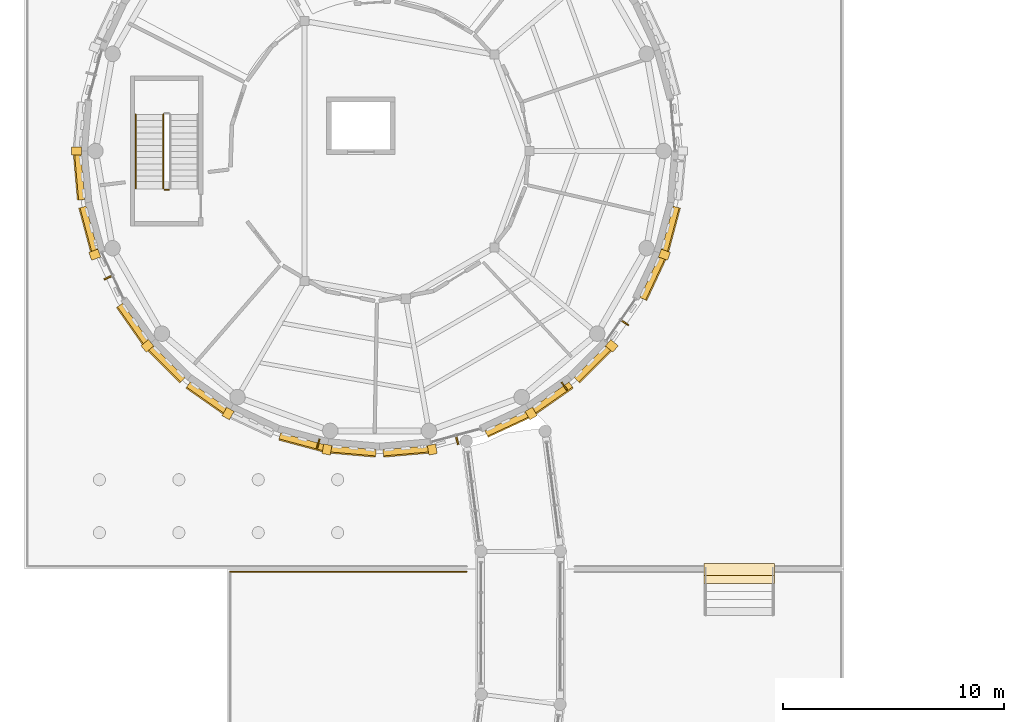
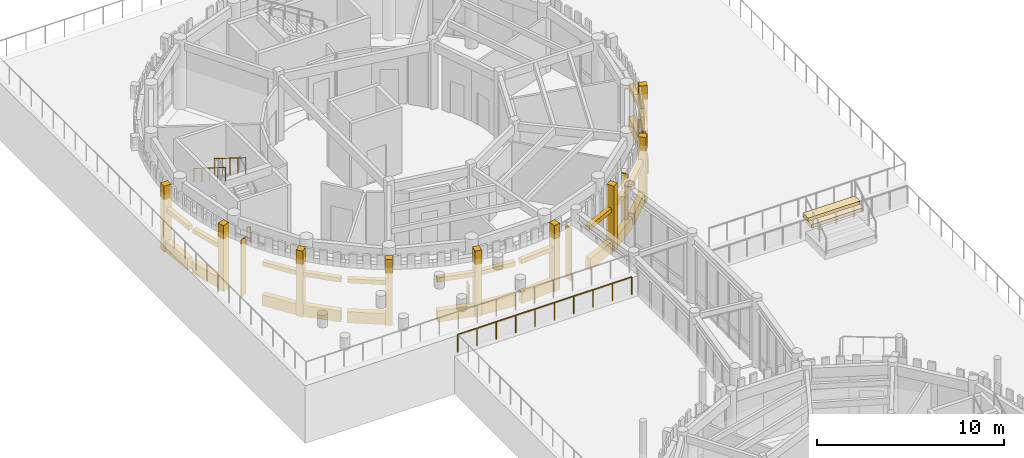
# One storey, part 83 of 94: 37 coverings, 5 shading devices, 4 railings.
"""IFC4 building model written with IfcOpenShell, lengths in metres."""

from ifc_helpers import new_model, si_unit, direction, frame, origin, origin_2d, place, context, subcontext, project, spatial, polyline, rectangle, circle, outline, extrude, material, layer, layer_set, type_object, element, save


model = new_model("IFC4")

# Units and contexts
model_context = context("Model", 3, precision=1e-05, world=origin(), true_north=direction((0.0, 1.0)))
body_context = subcontext(model_context, "Body", "Model", "MODEL_VIEW")
ifc_project = project(units=[si_unit("LENGTHUNIT", "METRE"), si_unit("AREAUNIT", "SQUARE_METRE"), si_unit("VOLUMEUNIT", "CUBIC_METRE"), si_unit("PLANEANGLEUNIT", "RADIAN"), si_unit("MASSUNIT", "GRAM", prefix="KILO")], contexts=[model_context])

# Site, building, storey
site_placement = place(None, origin())
site = spatial("IfcSite", under=ifc_project, at=site_placement, CompositionType="ELEMENT")
building_placement = place(site_placement, origin())
building = spatial("IfcBuilding", under=site, at=building_placement, Name="Aldenvaro Health Centre", CompositionType="ELEMENT")
storey_placement = place(building_placement, origin())
storey = spatial("IfcBuildingStorey", under=building, at=storey_placement, Name="L00", CompositionType="ELEMENT", Elevation=0.0)

# Coverings
ifc_material_1 = material(Name="Honed Sonoran Buff Limestone", Category="masonry")
ifc_layer_1 = layer(ifc_material_1, 0.280029296875, Name="Honed Sonoran Buff Limestone", Category="masonry")
ifc_layer_set_1 = layer_set([ifc_layer_1], Name="Honed Sonoran Buff Limestone")
covering_type_1 = type_object("IfcCoveringType", Name="COV-CRN-STN", PredefinedType="CLADDING", material=ifc_layer_set_1)
covering_1_placement = place(storey_placement, frame((31.7080078125, 95.9609375, 0.0), z_axis=(0.0, 0.0, 1.0), x_axis=(-0.258621935517, -0.965978620089, 0.0)))
element("IfcCovering", 1, at=covering_1_placement, inside=storey, type_object=covering_type_1, Name="D4 L00 Rusticated Limestone Plinth 2.1", PredefinedType="CLADDING", context=body_context, shape_type="SweptSolid", body=[
    extrude(rectangle(XDim=2.054931640625, YDim=0.340087890625, at=origin_2d()), origin(), (0.0, 0.0, 1.0), 0.719970703125),
])
covering_2_placement = place(storey_placement, frame((31.678955078125, 95.968994140625, 2.5498046875), z_axis=(0.0, 0.0, 1.0), x_axis=(-0.258621935517, -0.965978620089, 0.0)))
element("IfcCovering", 2, at=covering_2_placement, inside=storey, type_object=covering_type_1, Name="D4 L00 Rusticated Limestone Plinth 2.2", PredefinedType="CLADDING", context=body_context, shape_type="SweptSolid", body=[
    extrude(rectangle(XDim=2.054931640625, YDim=0.280029296875, at=origin_2d()), origin(), (0.0, 0.0, 1.0), 0.280029296875),
])
covering_3_placement = place(storey_placement, frame((30.89306640625, 93.720947265625, 0.0), z_axis=(0.0, 0.0, 1.0), x_axis=(-0.422557314215, -0.90633620484, 0.0)))
element("IfcCovering", 3, at=covering_3_placement, inside=storey, type_object=covering_type_1, Name="D4 L00 Rusticated Limestone Plinth 3.1", PredefinedType="CLADDING", context=body_context, shape_type="SweptSolid", body=[
    extrude(rectangle(XDim=2.055908203125, YDim=0.340087890625, at=origin_2d()), origin(), (0.0, 0.0, 1.0), 0.719970703125),
])
covering_4_placement = place(storey_placement, frame((30.865966796875, 93.73388671875, 2.5498046875), z_axis=(0.0, 0.0, 1.0), x_axis=(-0.422557314215, -0.90633620484, 0.0)))
element("IfcCovering", 4, at=covering_4_placement, inside=storey, type_object=covering_type_1, Name="D4 L00 Rusticated Limestone Plinth 3.2", PredefinedType="CLADDING", context=body_context, shape_type="SweptSolid", body=[
    extrude(rectangle(XDim=2.055908203125, YDim=0.280029296875, at=origin_2d()), origin(), (0.0, 0.0, 1.0), 0.280029296875),
])
covering_5_placement = place(storey_placement, frame((31.410888671875, 94.801025390625, -0.00048828125), z_axis=(0.0, 0.0, 1.0), x_axis=(0.939695335552, -0.342012684476, 0.0)))
element("IfcCovering", 5, at=covering_5_placement, inside=storey, type_object=covering_type_1, Name="D4 L00 Engaged Classical Limestone Pilaster 02", PredefinedType="CLADDING", context=body_context, shape_type="SweptSolid", body=[
    extrude(rectangle(XDim=0.43994140625, YDim=0.3798828125, at=origin_2d()), origin(), (0.0, 0.0, 1.0), 4.304931640625),
])
covering_6_placement = place(storey_placement, frame((28.1689453125, 89.8310546875, 0.0), z_axis=(0.0, 0.0, 1.0), x_axis=(-0.707106781187, -0.707106781187, 0.0)))
element("IfcCovering", 6, at=covering_6_placement, inside=storey, type_object=covering_type_1, Name="D4 L00 Rusticated Limestone Plinth 5.1", PredefinedType="CLADDING", context=body_context, shape_type="SweptSolid", body=[
    extrude(rectangle(XDim=2.055908203125, YDim=0.340087890625, at=origin_2d()), origin(), (0.0, 0.0, 1.0), 0.719970703125),
])
covering_7_placement = place(storey_placement, frame((28.14794921875, 89.85205078125, 2.5498046875), z_axis=(0.0, 0.0, 1.0), x_axis=(-0.707106781187, -0.707106781187, 0.0)))
element("IfcCovering", 7, at=covering_7_placement, inside=storey, type_object=covering_type_1, Name="D4 L00 Rusticated Limestone Plinth 5.2", PredefinedType="CLADDING", context=body_context, shape_type="SweptSolid", body=[
    extrude(rectangle(XDim=2.055908203125, YDim=0.280029296875, at=origin_2d()), origin(), (0.0, 0.0, 1.0), 0.280029296875),
])
covering_8_placement = place(storey_placement, frame((29.02587890625, 90.66796875, -0.00048828125), z_axis=(0.0, 0.0, 1.0), x_axis=(0.766057587935, -0.642771943979, 0.0)))
element("IfcCovering", 8, at=covering_8_placement, inside=storey, type_object=covering_type_1, Name="D4 L00 Engaged Classical Limestone Pilaster 03", PredefinedType="CLADDING", context=body_context, shape_type="SweptSolid", body=[
    extrude(rectangle(XDim=0.43994140625, YDim=0.3798828125, at=origin_2d()), origin(), (0.0, 0.0, 1.0), 4.304931640625),
])
covering_9_placement = place(storey_placement, frame((26.343017578125, 88.299072265625, 0.0), z_axis=(0.0, 0.0, 1.0), x_axis=(-0.819050849853, -0.573720929857, 0.0)))
element("IfcCovering", 9, at=covering_9_placement, inside=storey, type_object=covering_type_1, Name="D4 L00 Rusticated Limestone Plinth 6.1", PredefinedType="CLADDING", context=body_context, shape_type="SweptSolid", body=[
    extrude(rectangle(XDim=2.055908203125, YDim=0.340087890625, at=origin_2d()), origin(), (0.0, 0.0, 1.0), 0.719970703125),
])
covering_10_placement = place(storey_placement, frame((26.325927734375, 88.322998046875, 2.5498046875), z_axis=(0.0, 0.0, 1.0), x_axis=(-0.819050849853, -0.573720929857, 0.0)))
element("IfcCovering", 10, at=covering_10_placement, inside=storey, type_object=covering_type_1, Name="D4 L00 Rusticated Limestone Plinth 6.2", PredefinedType="CLADDING", context=body_context, shape_type="SweptSolid", body=[
    extrude(rectangle(XDim=2.055908203125, YDim=0.280029296875, at=origin_2d()), origin(), (0.0, 0.0, 1.0), 0.280029296875),
])
covering_11_placement = place(storey_placement, frame((24.279052734375, 87.10693359375, 0.0), z_axis=(0.0, 0.0, 1.0), x_axis=(-0.90633620484, -0.422557314215, 0.0)))
element("IfcCovering", 11, at=covering_11_placement, inside=storey, type_object=covering_type_1, Name="D4 L00 Rusticated Limestone Plinth 7.1", PredefinedType="CLADDING", context=body_context, shape_type="SweptSolid", body=[
    extrude(rectangle(XDim=2.055908203125, YDim=0.340087890625, at=origin_2d()), origin(), (0.0, 0.0, 1.0), 0.719970703125),
])
covering_12_placement = place(storey_placement, frame((24.26611328125, 87.134033203125, 2.5498046875), z_axis=(0.0, 0.0, 1.0), x_axis=(-0.90633620484, -0.422557314215, 0.0)))
element("IfcCovering", 12, at=covering_12_placement, inside=storey, type_object=covering_type_1, Name="D4 L00 Rusticated Limestone Plinth 7.2", PredefinedType="CLADDING", context=body_context, shape_type="SweptSolid", body=[
    extrude(rectangle(XDim=2.055908203125, YDim=0.280029296875, at=origin_2d()), origin(), (0.0, 0.0, 1.0), 0.280029296875),
])
covering_13_placement = place(storey_placement, frame((25.3701171875, 87.60107421875, -0.00048828125), z_axis=(0.0, 0.0, 1.0), x_axis=(0.499991611653, -0.866030246745, 0.0)))
element("IfcCovering", 13, at=covering_13_placement, inside=storey, type_object=covering_type_1, Name="D4 L00 Engaged Classical Limestone Pilaster 04", PredefinedType="CLADDING", context=body_context, shape_type="SweptSolid", body=[
    extrude(rectangle(XDim=0.43994140625, YDim=0.3798828125, at=origin_2d()), origin(), (0.0, 0.0, 1.0), 4.304931640625),
])
covering_14_placement = place(storey_placement, frame((19.69189453125, 85.8779296875, 0.0), z_axis=(0.0, 0.0, 1.0), x_axis=(-0.996179299052, -0.087331575855, 0.0)))
element("IfcCovering", 14, at=covering_14_placement, inside=storey, type_object=covering_type_1, Name="D4 L00 Rusticated Limestone Plinth 9.1", PredefinedType="CLADDING", context=body_context, shape_type="SweptSolid", body=[
    extrude(rectangle(XDim=2.055908203125, YDim=0.340087890625, at=origin_2d()), origin(), (0.0, 0.0, 1.0), 0.719970703125),
])
covering_15_placement = place(storey_placement, frame((19.68896484375, 85.907958984375, 2.5498046875), z_axis=(0.0, 0.0, 1.0), x_axis=(-0.996179299052, -0.087331575855, 0.0)))
element("IfcCovering", 15, at=covering_15_placement, inside=storey, type_object=covering_type_1, Name="D4 L00 Rusticated Limestone Plinth 9.2", PredefinedType="CLADDING", context=body_context, shape_type="SweptSolid", body=[
    extrude(rectangle(XDim=2.055908203125, YDim=0.280029296875, at=origin_2d()), origin(), (0.0, 0.0, 1.0), 0.280029296875),
])
covering_16_placement = place(storey_placement, frame((20.885986328125, 85.968994140625, -0.00048828125), z_axis=(0.0, 0.0, 1.0), x_axis=(0.173661868999, -0.984805338763, 0.0)))
element("IfcCovering", 16, at=covering_16_placement, inside=storey, type_object=covering_type_1, Name="D4 L00 Engaged Classical Limestone Pilaster 05", PredefinedType="CLADDING", context=body_context, shape_type="SweptSolid", body=[
    extrude(rectangle(XDim=0.43994140625, YDim=0.3798828125, at=origin_2d()), origin(), (0.0, 0.0, 1.0), 4.304931640625),
])
covering_17_placement = place(storey_placement, frame((17.30810546875, 85.8779296875, 0.0), z_axis=(0.0, 0.0, 1.0), x_axis=(-0.996179299052, 0.087331575855, 0.0)))
element("IfcCovering", 17, at=covering_17_placement, inside=storey, type_object=covering_type_1, Name="D4 L00 Rusticated Limestone Plinth 10.1", PredefinedType="CLADDING", context=body_context, shape_type="SweptSolid", body=[
    extrude(rectangle(XDim=2.055908203125, YDim=0.340087890625, at=origin_2d()), origin(), (0.0, 0.0, 1.0), 0.719970703125),
])
covering_18_placement = place(storey_placement, frame((17.31103515625, 85.907958984375, 2.5498046875), z_axis=(0.0, 0.0, 1.0), x_axis=(-0.996179299052, 0.087331575855, 0.0)))
element("IfcCovering", 18, at=covering_18_placement, inside=storey, type_object=covering_type_1, Name="D4 L00 Rusticated Limestone Plinth 10.2", PredefinedType="CLADDING", context=body_context, shape_type="SweptSolid", body=[
    extrude(rectangle(XDim=2.055908203125, YDim=0.280029296875, at=origin_2d()), origin(), (0.0, 0.0, 1.0), 0.280029296875),
])
covering_19_placement = place(storey_placement, frame((14.9609375, 86.2919921875, 0.0), z_axis=(0.0, 0.0, 1.0), x_axis=(-0.965978620089, 0.258621935517, 0.0)))
element("IfcCovering", 19, at=covering_19_placement, inside=storey, type_object=covering_type_1, Name="D4 L00 Rusticated Limestone Plinth 11.1", PredefinedType="CLADDING", context=body_context, shape_type="SweptSolid", body=[
    extrude(rectangle(XDim=2.054931640625, YDim=0.340087890625, at=origin_2d()), origin(), (0.0, 0.0, 1.0), 0.719970703125),
])
covering_20_placement = place(storey_placement, frame((14.968994140625, 86.321044921875, 2.5498046875), z_axis=(0.0, 0.0, 1.0), x_axis=(-0.965978620089, 0.258621935517, 0.0)))
element("IfcCovering", 20, at=covering_20_placement, inside=storey, type_object=covering_type_1, Name="D4 L00 Rusticated Limestone Plinth 11.2", PredefinedType="CLADDING", context=body_context, shape_type="SweptSolid", body=[
    extrude(rectangle(XDim=2.054931640625, YDim=0.280029296875, at=origin_2d()), origin(), (0.0, 0.0, 1.0), 0.280029296875),
])
covering_21_placement = place(storey_placement, frame((16.114013671875, 85.968994140625, -0.00048828125), z_axis=(0.0, 0.0, 1.0), x_axis=(-0.173661868999, -0.984805338763, 0.0)))
element("IfcCovering", 21, at=covering_21_placement, inside=storey, type_object=covering_type_1, Name="D4 L00 Engaged Classical Limestone Pilaster 06", PredefinedType="CLADDING", context=body_context, shape_type="SweptSolid", body=[
    extrude(rectangle(XDim=0.43994140625, YDim=0.3798828125, at=origin_2d()), origin(), (0.0, 0.0, 1.0), 4.304931640625),
])
covering_22_placement = place(storey_placement, frame((10.656982421875, 88.299072265625, 0.0), z_axis=(0.0, 0.0, 1.0), x_axis=(-0.819050849853, 0.573720929857, 0.0)))
element("IfcCovering", 22, at=covering_22_placement, inside=storey, type_object=covering_type_1, Name="D4 L00 Rusticated Limestone Plinth 13.1", PredefinedType="CLADDING", context=body_context, shape_type="SweptSolid", body=[
    extrude(rectangle(XDim=2.055908203125, YDim=0.340087890625, at=origin_2d()), origin(), (0.0, 0.0, 1.0), 0.719970703125),
])
covering_23_placement = place(storey_placement, frame((10.674072265625, 88.322998046875, 2.5498046875), z_axis=(0.0, 0.0, 1.0), x_axis=(-0.819050849853, 0.573720929857, 0.0)))
element("IfcCovering", 23, at=covering_23_placement, inside=storey, type_object=covering_type_1, Name="D4 L00 Rusticated Limestone Plinth 13.2", PredefinedType="CLADDING", context=body_context, shape_type="SweptSolid", body=[
    extrude(rectangle(XDim=2.055908203125, YDim=0.280029296875, at=origin_2d()), origin(), (0.0, 0.0, 1.0), 0.280029296875),
])
covering_24_placement = place(storey_placement, frame((11.6298828125, 87.60107421875, -0.00048828125), z_axis=(0.0, 0.0, 1.0), x_axis=(-0.499991611653, -0.866030246745, 0.0)))
element("IfcCovering", 24, at=covering_24_placement, inside=storey, type_object=covering_type_1, Name="D4 L00 Engaged Classical Limestone Pilaster 07", PredefinedType="CLADDING", context=body_context, shape_type="SweptSolid", body=[
    extrude(rectangle(XDim=0.43994140625, YDim=0.3798828125, at=origin_2d()), origin(), (0.0, 0.0, 1.0), 4.304931640625),
])
covering_25_placement = place(storey_placement, frame((8.8310546875, 89.8310546875, 0.0), z_axis=(0.0, 0.0, 1.0), x_axis=(-0.707106781187, 0.707106781187, 0.0)))
element("IfcCovering", 25, at=covering_25_placement, inside=storey, type_object=covering_type_1, Name="D4 L00 Rusticated Limestone Plinth 14.1", PredefinedType="CLADDING", context=body_context, shape_type="SweptSolid", body=[
    extrude(rectangle(XDim=2.055908203125, YDim=0.340087890625, at=origin_2d()), origin(), (0.0, 0.0, 1.0), 0.719970703125),
])
covering_26_placement = place(storey_placement, frame((8.85205078125, 89.85205078125, 2.5498046875), z_axis=(0.0, 0.0, 1.0), x_axis=(-0.707106781187, 0.707106781187, 0.0)))
element("IfcCovering", 26, at=covering_26_placement, inside=storey, type_object=covering_type_1, Name="D4 L00 Rusticated Limestone Plinth 14.2", PredefinedType="CLADDING", context=body_context, shape_type="SweptSolid", body=[
    extrude(rectangle(XDim=2.055908203125, YDim=0.280029296875, at=origin_2d()), origin(), (0.0, 0.0, 1.0), 0.280029296875),
])
covering_27_placement = place(storey_placement, frame((7.299072265625, 91.656982421875, 0.0), z_axis=(0.0, 0.0, 1.0), x_axis=(-0.573720929857, 0.819050849853, 0.0)))
element("IfcCovering", 27, at=covering_27_placement, inside=storey, type_object=covering_type_1, Name="D4 L00 Rusticated Limestone Plinth 15.1", PredefinedType="CLADDING", context=body_context, shape_type="SweptSolid", body=[
    extrude(rectangle(XDim=2.055908203125, YDim=0.340087890625, at=origin_2d()), origin(), (0.0, 0.0, 1.0), 0.719970703125),
])
covering_28_placement = place(storey_placement, frame((7.322998046875, 91.674072265625, 2.5498046875), z_axis=(0.0, 0.0, 1.0), x_axis=(-0.573720929857, 0.819050849853, 0.0)))
element("IfcCovering", 28, at=covering_28_placement, inside=storey, type_object=covering_type_1, Name="D4 L00 Rusticated Limestone Plinth 15.2", PredefinedType="CLADDING", context=body_context, shape_type="SweptSolid", body=[
    extrude(rectangle(XDim=2.055908203125, YDim=0.280029296875, at=origin_2d()), origin(), (0.0, 0.0, 1.0), 0.280029296875),
])
covering_29_placement = place(storey_placement, frame((7.97412109375, 90.66796875, -0.00048828125), z_axis=(0.0, 0.0, 1.0), x_axis=(-0.766057587935, -0.642771943979, 0.0)))
element("IfcCovering", 29, at=covering_29_placement, inside=storey, type_object=covering_type_1, Name="D4 L00 Engaged Classical Limestone Pilaster 08", PredefinedType="CLADDING", context=body_context, shape_type="SweptSolid", body=[
    extrude(rectangle(XDim=0.43994140625, YDim=0.3798828125, at=origin_2d()), origin(), (0.0, 0.0, 1.0), 4.304931640625),
])
covering_30_placement = place(storey_placement, frame((5.2919921875, 95.9609375, 0.0), z_axis=(0.0, 0.0, 1.0), x_axis=(-0.258621935517, 0.965978620089, 0.0)))
element("IfcCovering", 30, at=covering_30_placement, inside=storey, type_object=covering_type_1, Name="D4 L00 Rusticated Limestone Plinth 17.1", PredefinedType="CLADDING", context=body_context, shape_type="SweptSolid", body=[
    extrude(rectangle(XDim=2.054931640625, YDim=0.340087890625, at=origin_2d()), origin(), (0.0, 0.0, 1.0), 0.719970703125),
])
covering_31_placement = place(storey_placement, frame((5.321044921875, 95.968994140625, 2.5498046875), z_axis=(0.0, 0.0, 1.0), x_axis=(-0.258621935517, 0.965978620089, 0.0)))
element("IfcCovering", 31, at=covering_31_placement, inside=storey, type_object=covering_type_1, Name="D4 L00 Rusticated Limestone Plinth 17.2", PredefinedType="CLADDING", context=body_context, shape_type="SweptSolid", body=[
    extrude(rectangle(XDim=2.054931640625, YDim=0.280029296875, at=origin_2d()), origin(), (0.0, 0.0, 1.0), 0.280029296875),
])
covering_32_placement = place(storey_placement, frame((5.589111328125, 94.801025390625, -0.00048828125), z_axis=(0.0, 0.0, 1.0), x_axis=(-0.939695335552, -0.342012684476, 0.0)))
element("IfcCovering", 32, at=covering_32_placement, inside=storey, type_object=covering_type_1, Name="D4 L00 Engaged Classical Limestone Pilaster 09", PredefinedType="CLADDING", context=body_context, shape_type="SweptSolid", body=[
    extrude(rectangle(XDim=0.43994140625, YDim=0.3798828125, at=origin_2d()), origin(), (0.0, 0.0, 1.0), 4.304931640625),
])
covering_33_placement = place(storey_placement, frame((4.8779296875, 98.30810546875, 0.0), z_axis=(0.0, 0.0, 1.0), x_axis=(-0.087331575855, 0.996179299052, 0.0)))
element("IfcCovering", 33, at=covering_33_placement, inside=storey, type_object=covering_type_1, Name="D4 L00 Rusticated Limestone Plinth 18.1", PredefinedType="CLADDING", context=body_context, shape_type="SweptSolid", body=[
    extrude(rectangle(XDim=2.055908203125, YDim=0.340087890625, at=origin_2d()), origin(), (0.0, 0.0, 1.0), 0.719970703125),
])
covering_34_placement = place(storey_placement, frame((4.907958984375, 98.31103515625, 2.5498046875), z_axis=(0.0, 0.0, 1.0), x_axis=(-0.087331575855, 0.996179299052, 0.0)))
element("IfcCovering", 34, at=covering_34_placement, inside=storey, type_object=covering_type_1, Name="D4 L00 Rusticated Limestone Plinth 18.2", PredefinedType="CLADDING", context=body_context, shape_type="SweptSolid", body=[
    extrude(rectangle(XDim=2.055908203125, YDim=0.280029296875, at=origin_2d()), origin(), (0.0, 0.0, 1.0), 0.280029296875),
])
covering_35_placement = place(storey_placement, frame((4.760009765625, 99.5, -0.00048828125), z_axis=(0.0, 0.0, 1.0), x_axis=(-1.0, 0.0, 0.0)))
element("IfcCovering", 35, at=covering_35_placement, inside=storey, type_object=covering_type_1, Name="D4 L00 Engaged Classical Limestone Pilaster 10", PredefinedType="CLADDING", context=body_context, shape_type="SweptSolid", body=[
    extrude(rectangle(XDim=0.43994140625, YDim=0.3798828125, at=origin_2d()), origin(), (0.0, 0.0, 1.0), 4.304931640625),
])
ifc_material_2 = material(Name="Honed Sonoran Buff Travertine", Category="masonry")
ifc_layer_2 = layer(ifc_material_2, 0.320068359375, Name="Honed Sonoran Buff Travertine", Category="masonry")
ifc_layer_set_2 = layer_set([ifc_layer_2], Name="Honed Sonoran Buff Travertine")
covering_type_2 = type_object("IfcCoveringType", Name="COV-POD-320", PredefinedType="FLOORING", material=ifc_layer_set_2)
covering_36_placement = place(storey_placement, frame((0.0, 0.0, 3.31689453125)))
element("IfcCovering", 36, at=covering_36_placement, inside=storey, type_object=covering_type_2, Name="Classical Terrace Grand Stair GST-W2 Stone Step 5", PredefinedType="FLOORING", context=body_context, shape_type="SweptSolid", body=[
    extrude(outline(polyline([(33.199951171875, 79.889892578125), (36.39990234375, 79.889892578125), (36.39990234375, 80.81005859375), (33.199951171875, 80.81005859375), (33.199951171875, 79.889892578125)])), origin(), (0.0, 0.0, 1.0), 0.216064453125),
])
covering_37_placement = place(storey_placement, frame((0.0, 0.0, 3.532958984375)))
element("IfcCovering", 37, at=covering_37_placement, inside=storey, type_object=covering_type_2, Name="Classical Terrace Grand Stair GST-W2 Stone Step 6", PredefinedType="FLOORING", context=body_context, shape_type="SweptSolid", body=[
    extrude(outline(polyline([(33.199951171875, 80.25), (36.39990234375, 80.25), (36.39990234375, 80.81005859375), (33.199951171875, 80.81005859375), (33.199951171875, 80.25)])), origin(), (0.0, 0.0, 1.0), 0.217041015625),
])

# Railings
ifc_material_3 = material(Name="Painted Architectural Steel", Category="steel")
railing_type_1 = type_object("IfcRailingType", Name="RL-BAL-115", PredefinedType="GUARDRAIL", material=ifc_material_3)
railing_1_placement = place(storey_placement, frame((11.719970703125, 80.429931640625, 2.449951171875)))
element("IfcRailing", 38, at=railing_1_placement, inside=storey, type_object=railing_type_1, Name="Middle Foothill Wing and Upper Garden Belvedere Terrace Classical Balustrade 19", PredefinedType="GUARDRAIL", context=body_context, shape_type="SweptSolid", body=[
    extrude(circle(Radius=0.02392578125, at=origin_2d()), frame((0.0, 0.0, 1.1357421875), z_axis=(1.0, 0.0, 0.0), x_axis=(0.0, 1.0, 0.0)), (0.0, 0.0, 1.0), 10.72314453125),
    extrude(circle(Radius=0.02099609375, at=origin_2d()), origin(), (0.0, 0.0, 1.0), 1.11181640625),
    extrude(circle(Radius=0.02099609375, at=origin_2d()), frame((1.19140625, 0.0, 0.0)), (0.0, 0.0, 1.0), 1.11181640625),
    extrude(circle(Radius=0.02099609375, at=origin_2d()), frame((2.3828125, 0.0, 0.0)), (0.0, 0.0, 1.0), 1.11181640625),
    extrude(circle(Radius=0.02099609375, at=origin_2d()), frame((3.574462890625, 0.0, 0.0)), (0.0, 0.0, 1.0), 1.11181640625),
    extrude(circle(Radius=0.02099609375, at=origin_2d()), frame((4.765869140625, 0.0, 0.0)), (0.0, 0.0, 1.0), 1.11181640625),
    extrude(circle(Radius=0.02099609375, at=origin_2d()), frame((5.957275390625, 0.0, 0.0)), (0.0, 0.0, 1.0), 1.11181640625),
    extrude(circle(Radius=0.02099609375, at=origin_2d()), frame((7.148681640625, 0.0, 0.0)), (0.0, 0.0, 1.0), 1.11181640625),
    extrude(circle(Radius=0.02099609375, at=origin_2d()), frame((8.34033203125, 0.0, 0.0)), (0.0, 0.0, 1.0), 1.11181640625),
    extrude(circle(Radius=0.02099609375, at=origin_2d()), frame((9.53173828125, 0.0, 0.0)), (0.0, 0.0, 1.0), 1.11181640625),
    extrude(circle(Radius=0.02099609375, at=origin_2d()), frame((10.72314453125, 0.0, 0.0)), (0.0, 0.0, 1.0), 1.11181640625),
])
railing_type_2 = type_object("IfcRailingType", Name="RL-BAL-INT", PredefinedType="BALUSTRADE", material=ifc_material_3)
railing_2_placement = place(storey_placement, frame((8.699951171875, 101.159912109375, 2.449951171875)))
element("IfcRailing", 39, at=railing_2_placement, inside=storey, type_object=railing_type_2, Name="L00 ST-08 stair guard 3", PredefinedType="BALUSTRADE", context=body_context, shape_type="SweptSolid", body=[
    extrude(circle(Radius=0.02392578125, at=origin_2d()), frame((0.0, 0.0, 1.076171875), z_axis=(0.0, -0.847977533471, 0.530032171408), x_axis=(1.0, 0.0, 0.0)), (0.0, 0.0, 1.0), 3.962158203125),
    extrude(circle(Radius=0.02099609375, at=origin_2d()), origin(), (0.0, 0.0, 1.0), 1.052001953125),
    extrude(circle(Radius=0.02099609375, at=origin_2d()), frame((0.0, -0.83984375, 0.52490234375)), (0.0, 0.0, 1.0), 1.052001953125),
    extrude(circle(Radius=0.02099609375, at=origin_2d()), frame((0.0, -1.679931640625, 1.050048828125)), (0.0, 0.0, 1.0), 1.052001953125),
    extrude(circle(Radius=0.02099609375, at=origin_2d()), frame((0.0, -2.52001953125, 1.5751953125)), (0.0, 0.0, 1.0), 1.052001953125),
    extrude(circle(Radius=0.02099609375, at=origin_2d()), frame((0.0, -3.35986328125, 2.10009765625)), (0.0, 0.0, 1.0), 1.052001953125),
])
railing_3_placement = place(storey_placement, frame((8.949951171875, 97.75, 0.0)))
element("IfcRailing", 40, at=railing_3_placement, inside=storey, type_object=railing_type_2, Name="L00 ST-08 stair guard 4", PredefinedType="BALUSTRADE", context=body_context, shape_type="SweptSolid", body=[
    extrude(circle(Radius=0.02392578125, at=origin_2d()), frame((0.0, 0.0, 1.076171875), z_axis=(-1.0, 0.0, 0.0), x_axis=(0.0, -1.0, 0.0)), (0.0, 0.0, 1.0), 0.199951171875),
    extrude(circle(Radius=0.02099609375, at=origin_2d()), origin(), (0.0, 0.0, 1.0), 1.052001953125),
    extrude(circle(Radius=0.02099609375, at=origin_2d()), frame((-0.199951171875, 0.0, 0.0)), (0.0, 0.0, 1.0), 1.052001953125),
])
railing_type_3 = type_object("IfcRailingType", Name="RL-HND-INT", PredefinedType="HANDRAIL", material=ifc_material_3)
railing_4_placement = place(storey_placement, frame((7.449951171875, 101.159912109375, 2.449951171875)))
element("IfcRailing", 41, at=railing_4_placement, inside=storey, type_object=railing_type_3, Name="L00 ST-08 stair handrail 2", PredefinedType="HANDRAIL", context=body_context, shape_type="SweptSolid", body=[
    extrude(circle(Radius=0.02392578125, at=origin_2d()), frame((0.0, 0.0, 0.8759765625), z_axis=(0.0, -0.847977533471, 0.530032171408), x_axis=(1.0, 0.0, 0.0)), (0.0, 0.0, 1.0), 3.962158203125),
    extrude(circle(Radius=0.02099609375, at=origin_2d()), origin(), (0.0, 0.0, 1.0), 0.851806640625),
    extrude(circle(Radius=0.02099609375, at=origin_2d()), frame((0.0, -0.83984375, 0.52490234375)), (0.0, 0.0, 1.0), 0.851806640625),
    extrude(circle(Radius=0.02099609375, at=origin_2d()), frame((0.0, -1.679931640625, 1.050048828125)), (0.0, 0.0, 1.0), 0.851806640625),
    extrude(circle(Radius=0.02099609375, at=origin_2d()), frame((0.0, -2.52001953125, 1.5751953125)), (0.0, 0.0, 1.0), 0.851806640625),
    extrude(circle(Radius=0.02099609375, at=origin_2d()), frame((0.0, -3.35986328125, 2.10009765625)), (0.0, 0.0, 1.0), 0.851806640625),
])

# Shading devices
ifc_material_4 = material(Name="Douglas Fir Exterior Glulam GL28h", Category="wood")
shading_device_type_1 = type_object("IfcShadingDeviceType", Name="SHD-FIN-205", PredefinedType="USERDEFINED", material=ifc_material_4)
shading_device_1_placement = place(storey_placement, frame((15.721923828125, 86.243896484375, -0.02001953125), z_axis=(0.0, 0.0, 1.0), x_axis=(-0.965978620089, 0.258621935517, 0.0)))
element("IfcShadingDevice", 42, at=shading_device_1_placement, inside=storey, type_object=shading_device_type_1, Name="D4 L00 Douglas fir fin 11.1", ObjectType="FIN", PredefinedType="USERDEFINED", context=body_context, shape_type="SweptSolid", body=[
    extrude(rectangle(XDim=0.06494140625, YDim=0.419921875, at=origin_2d()), origin(), (0.0, 0.0, 1.0), 2.050048828125),
])
shading_device_type_2 = type_object("IfcShadingDeviceType", Name="SHD-FIN-340", PredefinedType="USERDEFINED", material=ifc_material_4)
shading_device_2_placement = place(storey_placement, frame((22.009033203125, 86.403076171875, -0.02001953125), z_axis=(0.0, 0.0, 1.0), x_axis=(-0.965978620089, -0.258621935517, 0.0)))
element("IfcShadingDevice", 43, at=shading_device_2_placement, inside=storey, type_object=shading_device_type_2, Name="D4 L00 vertical timber fin 8.0", ObjectType="FIN", PredefinedType="USERDEFINED", context=body_context, shape_type="SweptSolid", body=[
    extrude(rectangle(XDim=0.074951171875, YDim=0.419921875, at=origin_2d()), origin(), (0.0, 0.0, 1.0), 3.39990234375),
])
shading_device_type_3 = type_object("IfcShadingDeviceType", Name="SHD-FIN-400", PredefinedType="USERDEFINED", material=ifc_material_4)
shading_device_3_placement = place(storey_placement, frame((26.868896484375, 88.85107421875, -0.0205078125), z_axis=(0.0, 0.0, 1.0), x_axis=(-0.819050849853, -0.573720929857, 0.0)))
element("IfcShadingDevice", 44, at=shading_device_3_placement, inside=storey, type_object=shading_device_type_3, Name="D4 L00 Douglas fir fin 6.1", ObjectType="FIN", PredefinedType="USERDEFINED", context=body_context, shape_type="SweptSolid", body=[
    extrude(rectangle(XDim=0.06494140625, YDim=0.419921875, at=origin_2d()), origin(), (0.0, 0.0, 1.0), 3.698974609375),
])
shading_device_type_4 = type_object("IfcShadingDeviceType", Name="SHD-FIN-435", PredefinedType="USERDEFINED", material=ifc_material_4)
for number, where, z_axis, x_axis, name in (
    (45, (29.60693359375, 91.722900390625, -0.0205078125), (0.0, 0.0, 1.0), (-0.573720929857, -0.819050849853, 0.0), "D4 L00 vertical timber fin 4.0"),
    (46, (6.2109375, 93.77001953125, -0.0205078125), (0.0, 0.0, 1.0), (-0.422557314215, 0.90633620484, 0.0), "D4 L00 vertical timber fin 16.0"),
):
    element("IfcShadingDevice", number, at=place(storey_placement, frame(where, z_axis=z_axis, x_axis=x_axis)), inside=storey, type_object=shading_device_type_4, Name=name, ObjectType="FIN", PredefinedType="USERDEFINED", context=body_context, shape_type="SweptSolid", body=[
        extrude(rectangle(XDim=0.06494140625, YDim=0.419921875, at=origin_2d()), origin(), (0.0, 0.0, 1.0), 3.698974609375),
    ])

save(model, "model.ifc")
